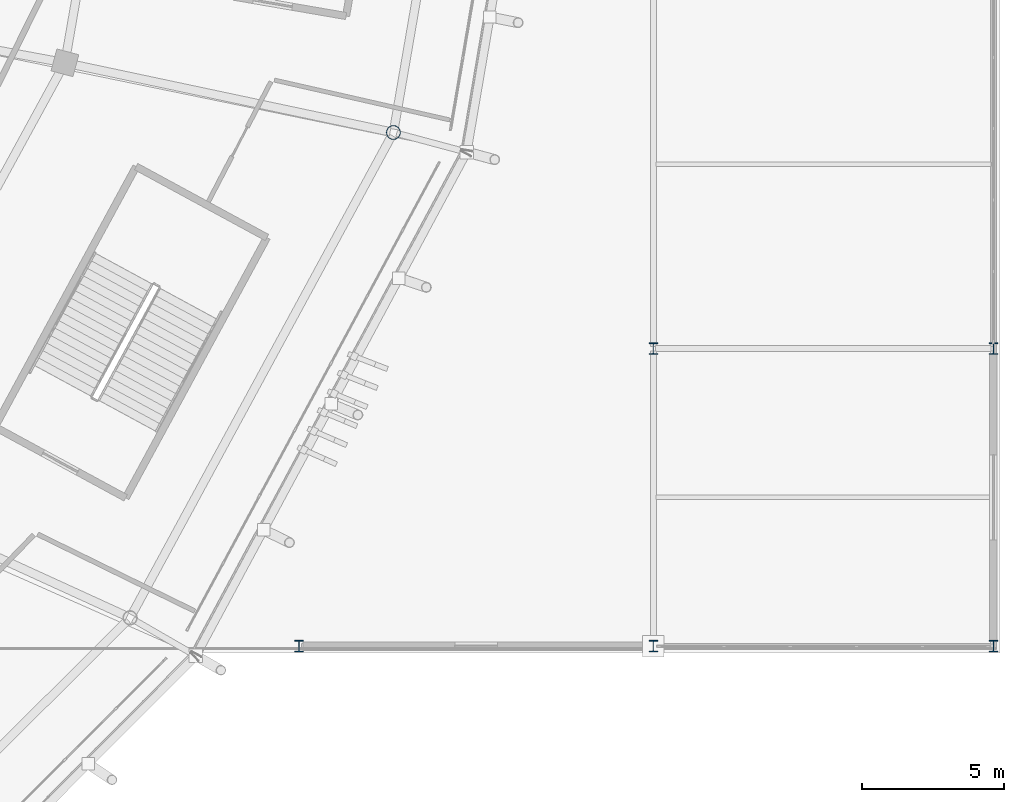
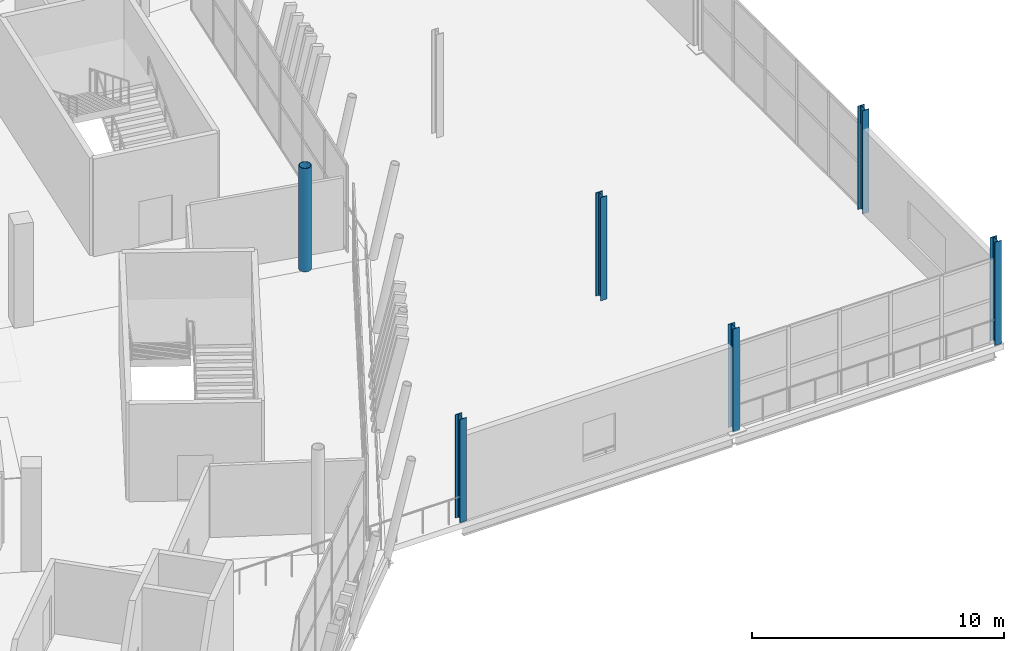
# One storey, part 13 of 179: 6 columns.
"""IFC4 building model written with IfcOpenShell, lengths in metres."""

from ifc_helpers import new_model, si_unit, direction, frame, origin, origin_2d, place, context, subcontext, project, spatial, hollow_circle, i_section, extrude, material, material_profile, profile_set, type_object, element, save


model = new_model("IFC4")

# Units and contexts
model_context = context("Model", 3, precision=1e-05, world=origin(), true_north=direction((0.0, 1.0)))
body_context = subcontext(model_context, "Body", "Model", "MODEL_VIEW")
ifc_project = project(units=[si_unit("LENGTHUNIT", "METRE"), si_unit("AREAUNIT", "SQUARE_METRE"), si_unit("VOLUMEUNIT", "CUBIC_METRE"), si_unit("PLANEANGLEUNIT", "RADIAN"), si_unit("MASSUNIT", "GRAM", prefix="KILO")], contexts=[model_context])

# Site, building, storey
site_placement = place(None, origin())
site = spatial("IfcSite", under=ifc_project, at=site_placement, CompositionType="ELEMENT")
building_placement = place(site_placement, origin())
building = spatial("IfcBuilding", under=site, at=building_placement, Name="Zlatoyarsky Gate Stadium", CompositionType="ELEMENT")
storey_placement = place(building_placement, frame((0.0, 0.0, 10.60009765625)))
storey = spatial("IfcBuildingStorey", under=building, at=storey_placement, Name="L02", CompositionType="ELEMENT", Elevation=10.60009765625)

# Columns
ifc_material = material(Name="Steel S355", Category="steel")
ifc_material_profile_1 = material_profile(ifc_material, i_section(OverallWidth=0.300048828125, OverallDepth=0.39990234375, WebThickness=0.013427734375, FlangeThickness=0.02392578125, FilletRadius=0.027099609375, at=origin_2d()), Name="HEB 400")
ifc_profile_set_1 = profile_set([ifc_material_profile_1], Name="Steel S355")
column_type_1 = type_object("IfcColumnType", Name="STEEL COLUMN HEB 400", PredefinedType="COLUMN", material=ifc_profile_set_1)
for number, where, z_axis, x_axis, name in (
    (1, (197.5, 43.5, 0.0), (0.0, 0.0, 1.0), (1.0, 0.0, 0.0), "Column ST-C400 WG-17-E on L02"),
    (2, (210.0, 43.5, 0.0), (0.0, 0.0, 1.0), (1.0, 0.0, 0.0), "Column ST-C400 WG-18-E on L02"),
    (3, (210.0, 54.0, 0.0), (0.0, 0.0, 1.0), (1.0, 0.0, 0.0), "Column ST-C400 WG-18-F on L02"),
    (4, (222.0, 43.5, 0.0), (0.0, 0.0, 1.0), (1.0, 0.0, 0.0), "Column ST-C400 WG-19-E on L02"),
    (5, (222.0, 54.0, 0.0), (0.0, 0.0, 1.0), (1.0, 0.0, 0.0), "Column ST-C400 WG-19-F on L02"),
):
    element("IfcColumn", number, at=place(storey_placement, frame(where, z_axis=z_axis, x_axis=x_axis)), inside=storey, type_object=column_type_1, Name=name, PredefinedType="COLUMN", context=body_context, shape_type="SweptSolid", body=[
        extrude(i_section(OverallWidth=0.300048828125, OverallDepth=0.39990234375, WebThickness=0.013427734375, FlangeThickness=0.02392578125, FilletRadius=0.027099609375, at=origin_2d()), origin(), (0.0, 0.0, 1.0), 5.0),
    ])
ifc_material_profile_2 = material_profile(ifc_material, hollow_circle(Radius=0.25390625, WallThickness=0.02490234375, at=origin_2d()), Name="CHS 508X25")
ifc_profile_set_2 = profile_set([ifc_material_profile_2], Name="Steel S355")
column_type_2 = type_object("IfcColumnType", Name="STEEL TUBULAR COLUMN CHS 508X25", PredefinedType="COLUMN", material=ifc_profile_set_2)
column_placement = place(storey_placement, frame((200.8310546875, 61.623779296875, 0.0), z_axis=(0.0, 0.0, 1.0), x_axis=(0.965925826289, -0.258819045103, 0.0)))
element("IfcColumn", 6, at=column_placement, inside=storey, type_object=column_type_2, Name="Column ST-C508 RC-23 on L02", PredefinedType="COLUMN", context=body_context, shape_type="SweptSolid", body=[
    extrude(hollow_circle(Radius=0.25390625, WallThickness=0.02490234375, at=origin_2d()), origin(), (0.0, 0.0, 1.0), 5.0),
])

save(model, "model.ifc")
